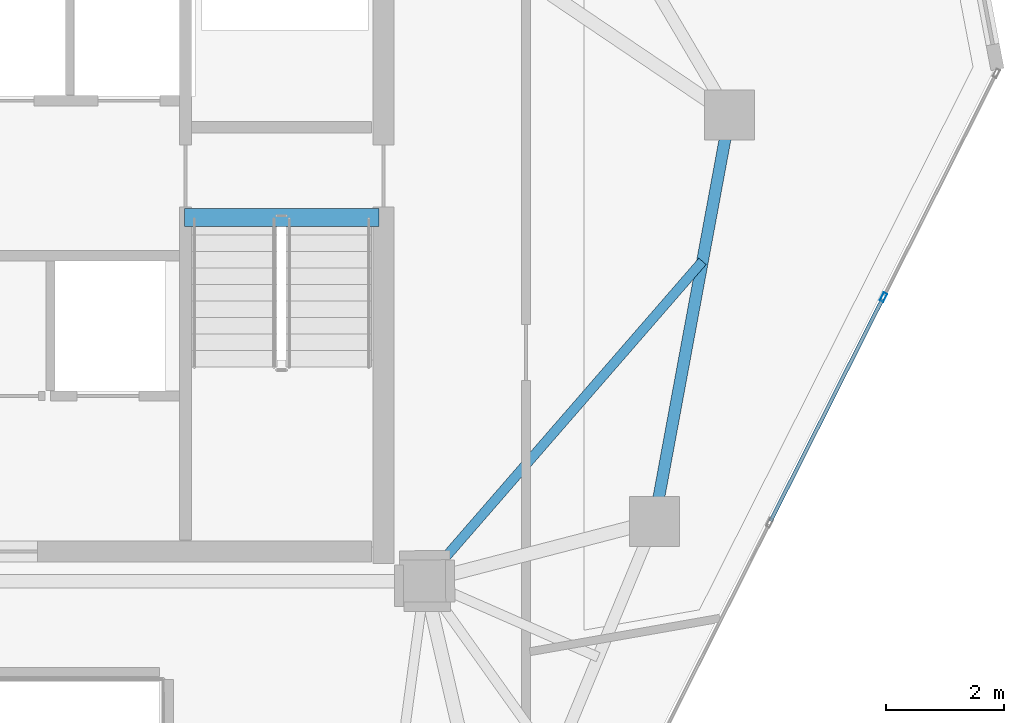
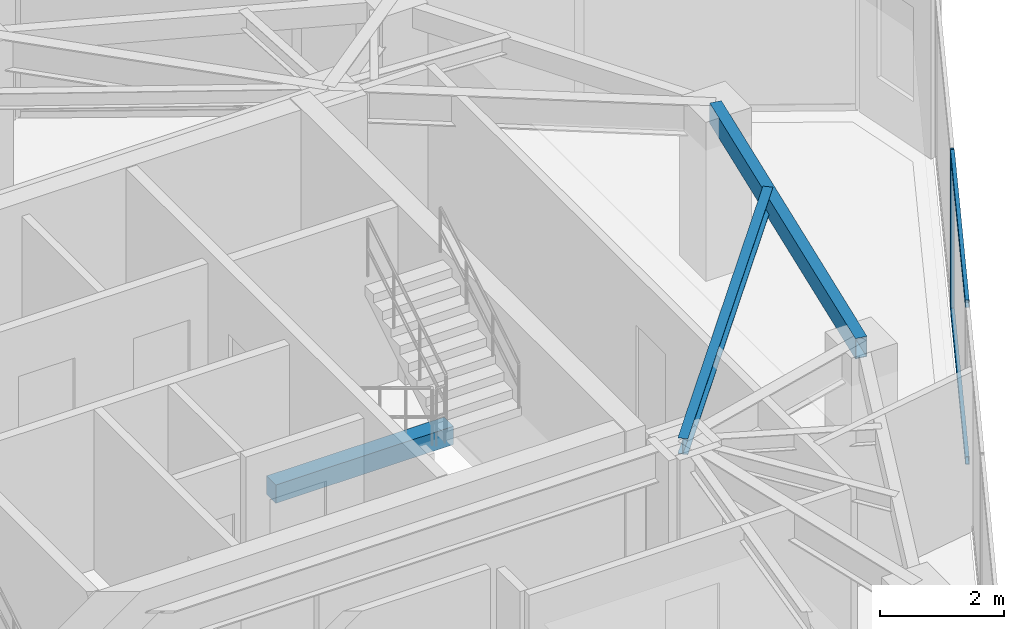
# One storey, part 12 of 20: 3 beams, 3 members, 1 element without a shape of its own.
"""IFC4 building model written with IfcOpenShell, lengths in metres."""

from ifc_helpers import new_model, si_unit, direction, frame, origin, origin_2d, place, context, subcontext, project, spatial, rectangle, hollow_rectangle, i_section, extrude, source, transform, mapped, material, layer, layer_set, material_profile, profile_set, type_object, type_shapes, element, aggregate, save


model = new_model("IFC4")

# Units and contexts
model_context = context("Model", 3, precision=1e-05, world=origin(), true_north=direction((0.0, 1.0)))
body_context = subcontext(model_context, "Body", "Model", "MODEL_VIEW")
ifc_project = project(units=[si_unit("LENGTHUNIT", "METRE"), si_unit("AREAUNIT", "SQUARE_METRE"), si_unit("VOLUMEUNIT", "CUBIC_METRE"), si_unit("PLANEANGLEUNIT", "RADIAN"), si_unit("MASSUNIT", "GRAM", prefix="KILO")], contexts=[model_context])

# Site, building, storey
site_placement = place(None, origin())
site = spatial("IfcSite", under=ifc_project, at=site_placement, CompositionType="ELEMENT")
building_placement = place(site_placement, origin())
building = spatial("IfcBuilding", under=site, at=building_placement, Name="Talar Marvaseh", CompositionType="ELEMENT")
storey_placement = place(building_placement, frame((0.0, 0.0, 285.0)))
storey = spatial("IfcBuildingStorey", under=building, at=storey_placement, Name="L76", CompositionType="ELEMENT", Elevation=285.0)

# Beams
ifc_material_1 = material(Name="Concrete C40/50", Category="concrete")
ifc_material_profile_1 = material_profile(ifc_material_1, rectangle(XDim=0.300048828125, YDim=0.360107421875, at=origin_2d()), Name="RC300x360")
ifc_profile_set_1 = profile_set([ifc_material_profile_1], Name="Concrete C40/50")
beam_type_1 = type_object("IfcBeamType", Name="Concrete Stair Landing Trimmer Beam RC300x360", PredefinedType="SPANDREL", material=ifc_profile_set_1)
beam_1_placement = place(storey_placement, frame((29.219970703125, 31.669921875, -0.179931640625), z_axis=(1.0, 0.0, 0.0), x_axis=(0.0, 1.0, 0.0)))
element("IfcBeam", 1, at=beam_1_placement, inside=storey, type_object=beam_type_1, Name="L76 ST-2 Stair Nosing Trimmer Beam", PredefinedType="SPANDREL", context=body_context, shape_type="SweptSolid", body=[
    extrude(rectangle(XDim=0.300048828125, YDim=0.360107421875, at=origin_2d()), origin(), (0.0, 0.0, 1.0), 3.300048828125),
])
ifc_material_2 = material(Name="Steel S355", Category="steel")
ifc_material_profile_2 = material_profile(ifc_material_2, hollow_rectangle(XDim=0.199951171875, YDim=0.39990234375, WallThickness=0.013916015625, at=origin_2d()), Name="RHS400x200x14")
ifc_profile_set_2 = profile_set([ifc_material_profile_2], Name="Steel S355")
beam_type_2 = type_object("IfcBeamType", Name="Zone 3 Perimeter Spandrel Beam RHS400x200x14", PredefinedType="SPANDREL", material=ifc_profile_set_2)
beam_2_placement = place(storey_placement, frame((38.470947265625, 33.406005859375, 2.93994140625), z_axis=(-0.181759950929, -0.983342931148, 0.0), x_axis=(0.983342931148, -0.181759950929, 0.0)))
element("IfcBeam", 2, at=beam_2_placement, inside=storey, type_object=beam_type_2, Name="L76 Zone 3 Perimeter Spandrel Beam RHS400x200x14", PredefinedType="SPANDREL", context=body_context, shape_type="SweptSolid", body=[
    extrude(hollow_rectangle(XDim=0.199951171875, YDim=0.39990234375, WallThickness=0.013916015625, at=origin_2d()), origin(), (0.0, 0.0, 1.0), 7.0087890625),
])
ifc_material_profile_3 = material_profile(ifc_material_2, i_section(OverallWidth=0.166015625, OverallDepth=0.31298828125, WebThickness=0.006591796875, FlangeThickness=0.01123046875, at=origin_2d()), Name="W310x45")
ifc_profile_set_3 = profile_set([ifc_material_profile_3], Name="Steel S355")
beam_type_3 = type_object("IfcBeamType", Name="Zone 3 Secondary Floor Joist W310x45", PredefinedType="JOIST", material=ifc_profile_set_3)
beam_3_placement = place(storey_placement, frame((38.012451171875, 30.9248046875, 2.9833984375), z_axis=(-0.655796743858, -0.754937501218, 0.0), x_axis=(0.754937501218, -0.655796743858, 0.0)))
element("IfcBeam", 3, at=beam_3_placement, inside=storey, type_object=beam_type_3, Name="L76 Zone 3 Secondary Floor Joist W310x45", PredefinedType="JOIST", context=body_context, shape_type="SweptSolid", body=[
    extrude(i_section(OverallWidth=0.166015625, OverallDepth=0.31298828125, WebThickness=0.006591796875, FlangeThickness=0.01123046875, at=origin_2d()), origin(), (0.0, 0.0, 1.0), 7.185791015625),
])

# Curtain wall, members
ifc_material_3 = material(Name="Architectural Aluminium", Category="aluminium")
ifc_layer = layer(ifc_material_3, 0.179931640625)
ifc_layer_set = layer_set([ifc_layer], Name="Architectural Aluminium")
curtain_wall_type = type_object("IfcCurtainWallType", Name="Unitised High-Wind Sky Curtain Wall Z4", PredefinedType="NOTDEFINED", material=ifc_layer_set)
curtain_wall_placement = place(storey_placement, origin())
curtain_wall = element("IfcCurtainWall", 4, at=curtain_wall_placement, inside=storey, type_object=curtain_wall_type, Name="L76 Unitised High-Wind Sky Curtain Wall Z4", PredefinedType="NOTDEFINED")
ifc_material_profile_4 = material_profile(ifc_material_3, hollow_rectangle(XDim=0.06494140625, YDim=0.14990234375, WallThickness=0.00390625, at=origin_2d()), Name="RHS150x65x4")
ifc_profile_set_4 = profile_set([ifc_material_profile_4], Name="Architectural Aluminium")
member_type_1 = type_object("IfcMemberType", Name="Unitised Curtain Wall Slim Mullion RHS150x65x4", PredefinedType="MULLION", material=ifc_profile_set_4)
shared_shape_1 = source(origin(), body_context, "Body", "SweptSolid", [
    extrude(hollow_rectangle(XDim=0.06494140625, YDim=0.14990234375, WallThickness=0.00390625, at=origin_2d()), origin(), (0.0, 0.0, 1.0), 3.139892578125),
])
type_shapes(member_type_1, [shared_shape_1])
member_1_placement = place(storey_placement, frame((41.0830078125, 30.316162109375, 0.0), z_axis=(0.0, 0.0, 1.0), x_axis=(0.89290909223, -0.450236996494, 0.0)))
member_1 = element("IfcMember", 5, at=member_1_placement, type_object=member_type_1, Name="CW-Z4 mullion 2", PredefinedType="MULLION", context=body_context, shape_type="MappedRepresentation", body=[
    mapped(shared_shape_1, transform((0.0, 0.0, 0.0), x_axis=(1.0, 0.0, 0.0), y_axis=(0.0, 1.0, 0.0), z_axis=(0.0, 0.0, 1.0), scale=1.0)),
])
ifc_material_profile_5 = material_profile(ifc_material_3, hollow_rectangle(XDim=0.06494140625, YDim=0.14990234375, WallThickness=0.00390625, at=origin_2d()), Name="RHS150x65x4")
ifc_profile_set_5 = profile_set([ifc_material_profile_5], Name="Architectural Aluminium")
member_type_2 = type_object("IfcMemberType", Name="Unitised Curtain Wall Slim Transom RHS150x65x4", PredefinedType="USERDEFINED", material=ifc_profile_set_5)
shared_shape_2 = source(origin(), body_context, "Body", "SweptSolid", [
    extrude(hollow_rectangle(XDim=0.06494140625, YDim=0.14990234375, WallThickness=0.00390625, at=origin_2d()), origin(), (0.0, 0.0, 1.0), 4.221435546875),
])
type_shapes(member_type_2, [shared_shape_2])
member_2_placement = place(storey_placement, frame((41.068359375, 30.287353515625, 0.032470703125), z_axis=(-0.450241556081, -0.892906793107, 0.0), x_axis=(0.892906793107, -0.450241556081, 0.0)))
member_2 = element("IfcMember", 6, at=member_2_placement, type_object=member_type_2, Name="CW-Z4 transom 2.1", ObjectType="TRANSOM", PredefinedType="USERDEFINED", context=body_context, shape_type="MappedRepresentation", body=[
    mapped(shared_shape_2, transform((0.0, 0.0, 0.0), x_axis=(1.0, 0.0, 0.0), y_axis=(0.0, 1.0, 0.0), z_axis=(0.0, 0.0, 1.0), scale=1.0)),
])
member_3_placement = place(storey_placement, frame((41.068359375, 30.287353515625, 3.107421875), z_axis=(-0.450241556081, -0.892906793107, 0.0), x_axis=(0.892906793107, -0.450241556081, 0.0)))
member_3 = element("IfcMember", 7, at=member_3_placement, type_object=member_type_2, Name="CW-Z4 transom 2.2", ObjectType="TRANSOM", PredefinedType="USERDEFINED", context=body_context, shape_type="MappedRepresentation", body=[
    mapped(shared_shape_2, transform((0.0, 0.0, 0.0), x_axis=(1.0, 0.0, 0.0), y_axis=(0.0, 1.0, 0.0), z_axis=(0.0, 0.0, 1.0), scale=1.0)),
])
aggregate(curtain_wall, [member_1, member_2, member_3])

save(model, "model.ifc")
